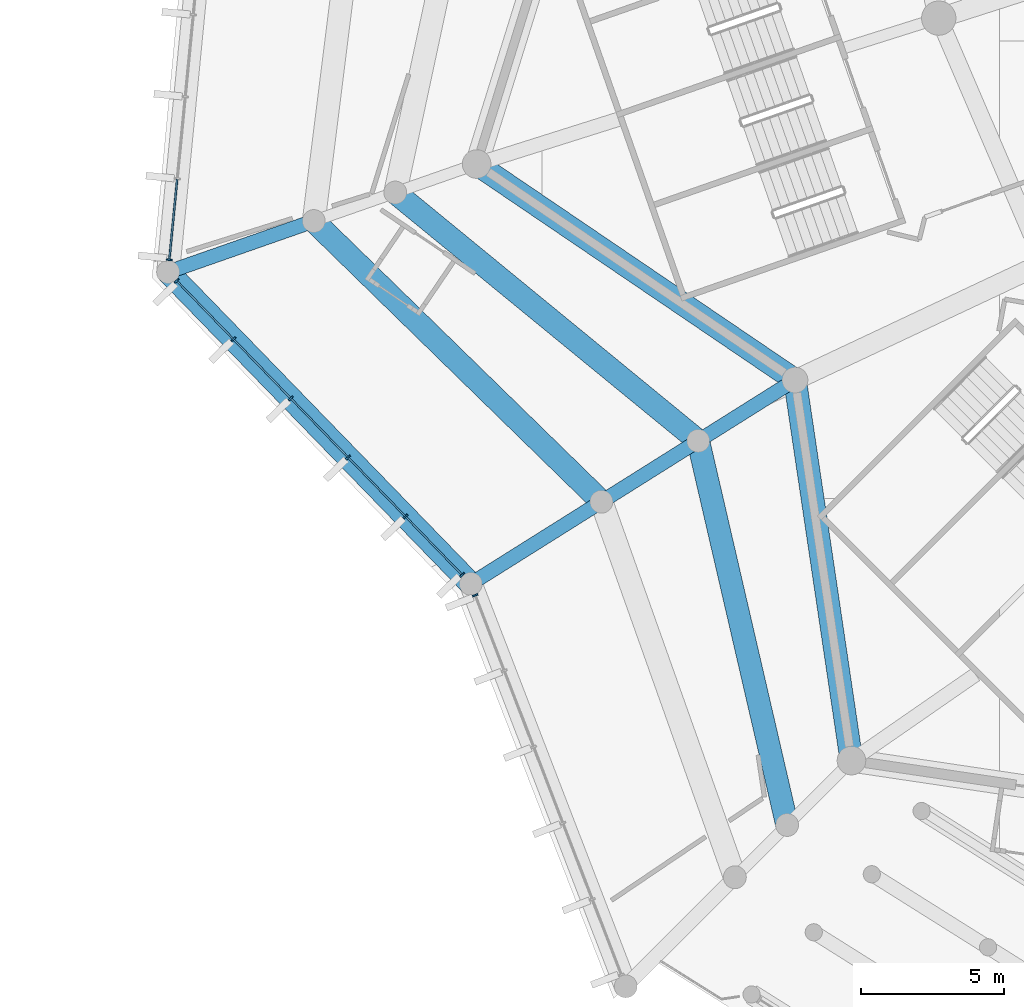
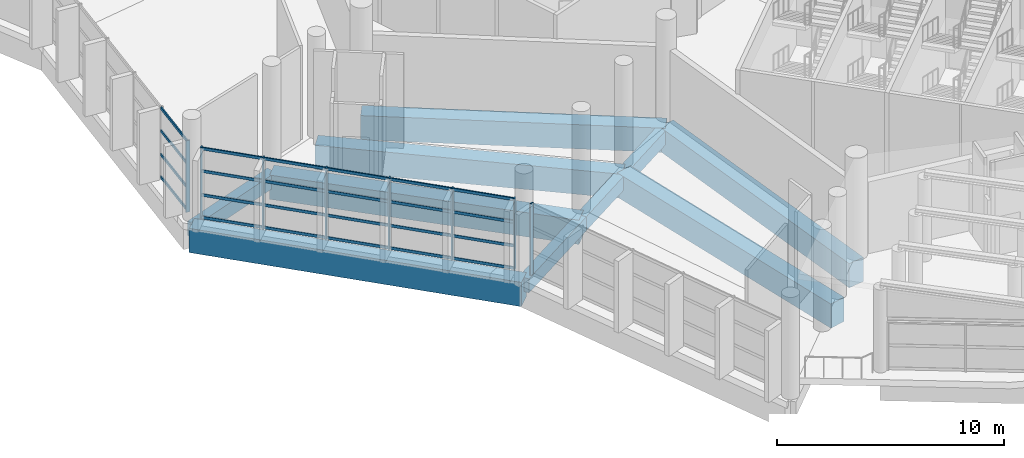
# One storey, part 12 of 271: 32 members, 10 beams, 3 elements without a shape of their own.
"""IFC4 building model written with IfcOpenShell, lengths in metres."""

from ifc_helpers import new_model, si_unit, direction, frame, origin, origin_2d, place, context, subcontext, project, spatial, rectangle, extrude, material, layer, layer_set, material_profile, profile_set, type_object, element, aggregate, save


model = new_model("IFC4")

# Units and contexts
model_context = context("Model", 3, precision=1e-05, world=origin(), true_north=direction((0.0, 1.0)))
body_context = subcontext(model_context, "Body", "Model", "MODEL_VIEW")
ifc_project = project(units=[si_unit("LENGTHUNIT", "METRE"), si_unit("AREAUNIT", "SQUARE_METRE"), si_unit("VOLUMEUNIT", "CUBIC_METRE"), si_unit("PLANEANGLEUNIT", "RADIAN"), si_unit("MASSUNIT", "GRAM", prefix="KILO")], contexts=[model_context])

# Site, building, storey
site_placement = place(None, origin())
site = spatial("IfcSite", under=ifc_project, at=site_placement, CompositionType="ELEMENT")
building_placement = place(site_placement, origin())
building = spatial("IfcBuilding", under=site, at=building_placement, Name="Meseta Stadium", CompositionType="ELEMENT")
storey_placement = place(building_placement, frame((0.0, 0.0, 6.5)))
storey = spatial("IfcBuildingStorey", under=building, at=storey_placement, Name="L01", CompositionType="ELEMENT", Elevation=6.5)

# Beams
ifc_material_1 = material(Name="Concrete C40/50", Category="concrete")
ifc_material_profile_1 = material_profile(ifc_material_1, rectangle(XDim=0.5, YDim=0.75, at=origin_2d()), Name="RC 500x750")
ifc_profile_set_1 = profile_set([ifc_material_profile_1], Name="Concrete C40/50")
beam_type_1 = type_object("IfcBeamType", Name="RC beam 500x750", PredefinedType="BEAM", material=ifc_profile_set_1)
beam_1_placement = place(storey_placement, frame((-103.989990234375, -70.29150390625, -0.72509765625), z_axis=(-0.943871747737, -0.330312161181, 0.0), x_axis=(0.330312161181, -0.943871747737, 0.0)))
element("IfcBeam", 1, at=beam_1_placement, inside=storey, type_object=beam_type_1, Name="L01 radial beam frame 38 line Q to O", PredefinedType="BEAM", context=body_context, shape_type="SweptSolid", body=[
    extrude(rectangle(XDim=0.5, YDim=0.75, at=origin_2d()), origin(), (0.0, 0.0, 1.0), 5.39990234375),
])
beam_2_placement = place(storey_placement, frame((-87.15087890625, -75.856689453125, -0.72509765625), z_axis=(-0.846706472046, -0.532060288122, 0.0), x_axis=(0.532060288122, -0.846706472046, 0.0)))
element("IfcBeam", 2, at=beam_2_placement, inside=storey, type_object=beam_type_1, Name="L01 radial beam frame 39 line R to M", PredefinedType="BEAM", context=body_context, shape_type="SweptSolid", body=[
    extrude(rectangle(XDim=0.5, YDim=0.75, at=origin_2d()), origin(), (0.0, 0.0, 1.0), 3.999755859375),
])
beam_3_placement = place(storey_placement, frame((-90.53759765625, -77.98486328125, -0.72509765625), z_axis=(-0.846723749582, -0.532032792122, 0.0), x_axis=(0.532032792122, -0.846723749582, 0.0)))
element("IfcBeam", 3, at=beam_3_placement, inside=storey, type_object=beam_type_1, Name="L01 radial beam frame 39 line M to Q", PredefinedType="BEAM", context=body_context, shape_type="SweptSolid", body=[
    extrude(rectangle(XDim=0.5, YDim=0.75, at=origin_2d()), origin(), (0.0, 0.0, 1.0), 4.0),
])
beam_4_placement = place(storey_placement, frame((-93.924560546875, -80.113037109375, -0.72509765625), z_axis=(-0.846715692546, -0.532045614582, 0.0), x_axis=(0.532045614582, -0.846715692546, 0.0)))
element("IfcBeam", 4, at=beam_4_placement, inside=storey, type_object=beam_type_1, Name="L01 radial beam frame 39 line Q to O", PredefinedType="BEAM", context=body_context, shape_type="SweptSolid", body=[
    extrude(rectangle(XDim=0.5, YDim=0.75, at=origin_2d()), origin(), (0.0, 0.0, 1.0), 5.39990234375),
])
ifc_material_2 = material(Name="Concrete C40/50", Category="concrete")
ifc_material_profile_2 = material_profile(ifc_material_2, rectangle(XDim=0.800048828125, YDim=1.300048828125, at=origin_2d()), Name="RC 800x1300")
ifc_profile_set_2 = profile_set([ifc_material_profile_2], Name="Concrete C40/50")
beam_type_2 = type_object("IfcBeamType", Name="RC beam 800x1300", PredefinedType="BEAM", material=ifc_profile_set_2)
beam_5_placement = place(storey_placement, frame((-98.291015625, -68.297607421875, -1.0), z_axis=(0.827486005705, -0.561486340317, 0.0), x_axis=(0.561486340317, 0.827486005705, 0.0)))
element("IfcBeam", 5, at=beam_5_placement, inside=storey, type_object=beam_type_2, Name="L01 ring beam frame 38 line R", PredefinedType="BEAM", context=body_context, shape_type="SweptSolid", body=[
    extrude(rectangle(XDim=0.800048828125, YDim=1.300048828125, at=origin_2d()), origin(), (0.0, 0.0, 1.0), 13.462646484375),
])
beam_6_placement = place(storey_placement, frame((-87.15087890625, -75.856689453125, -1.0), z_axis=(0.146870032835, -0.989155798373, 0.0), x_axis=(0.989155798373, 0.146870032835, 0.0)))
element("IfcBeam", 6, at=beam_6_placement, inside=storey, type_object=beam_type_2, Name="L01 ring beam frame 39 line R", PredefinedType="BEAM", context=body_context, shape_type="SweptSolid", body=[
    extrude(rectangle(XDim=0.800048828125, YDim=1.300048828125, at=origin_2d()), origin(), (0.0, 0.0, 1.0), 13.462890625),
])
beam_7_placement = place(storey_placement, frame((-101.140380859375, -69.29443359375, -1.0), z_axis=(0.77340555921, -0.633911540345, 0.0), x_axis=(0.633911540345, 0.77340555921, 0.0)))
element("IfcBeam", 7, at=beam_7_placement, inside=storey, type_object=beam_type_2, Name="L01 ring beam frame 38 line M", PredefinedType="BEAM", context=body_context, shape_type="SweptSolid", body=[
    extrude(rectangle(XDim=0.800048828125, YDim=1.300048828125, at=origin_2d()), origin(), (0.0, 0.0, 1.0), 13.709228515625),
])
beam_8_placement = place(storey_placement, frame((-103.989990234375, -70.29150390625, -1.0), z_axis=(0.715725013536, -0.698382205529, 0.0), x_axis=(0.698382205529, 0.715725013536, 0.0)))
element("IfcBeam", 8, at=beam_8_placement, inside=storey, type_object=beam_type_2, Name="L01 ring beam frame 38 line Q", PredefinedType="BEAM", context=body_context, shape_type="SweptSolid", body=[
    extrude(rectangle(XDim=0.800048828125, YDim=1.300048828125, at=origin_2d()), origin(), (0.0, 0.0, 1.0), 14.063232421875),
])
beam_9_placement = place(storey_placement, frame((-109.0869140625, -72.0751953125, -1.0), z_axis=(0.696479024719, -0.717577151341, 0.0), x_axis=(0.717577151341, 0.696479024719, 0.0)))
element("IfcBeam", 9, at=beam_9_placement, inside=storey, type_object=beam_type_2, Name="L01 ring beam frame 38 line O", PredefinedType="BEAM", context=body_context, shape_type="SweptSolid", body=[
    extrude(rectangle(XDim=0.800048828125, YDim=1.300048828125, at=origin_2d()), origin(), (0.0, 0.0, 1.0), 15.205078125),
])
beam_10_placement = place(storey_placement, frame((-90.53759765625, -77.98486328125, -1.0), z_axis=(0.225490125016, -0.974245453426, 0.0), x_axis=(0.974245453426, 0.225490125016, 0.0)))
element("IfcBeam", 10, at=beam_10_placement, inside=storey, type_object=beam_type_2, Name="L01 ring beam frame 39 line M", PredefinedType="BEAM", context=body_context, shape_type="SweptSolid", body=[
    extrude(rectangle(XDim=0.800048828125, YDim=1.300048828125, at=origin_2d()), origin(), (0.0, 0.0, 1.0), 13.796875),
])

# Curtain wall, member
ifc_material_3 = material(Name="Aluminium", Category="aluminium")
ifc_layer = layer(ifc_material_3, 0.199951171875)
ifc_layer_set = layer_set([ifc_layer], Name="Ring shopfront curtain wall")
curtain_wall_type = type_object("IfcCurtainWallType", Name="Ring shopfront curtain wall", PredefinedType="NOTDEFINED", material=ifc_layer_set)
curtain_wall_1_placement = place(storey_placement, origin())
curtain_wall_1 = element("IfcCurtainWall", 11, at=curtain_wall_1_placement, inside=storey, type_object=curtain_wall_type, Name="Ring glazing L01 F37", PredefinedType="NOTDEFINED")
ifc_material_4 = material(Name="Aluminium", Category="aluminium")
ifc_material_profile_3 = material_profile(ifc_material_4, rectangle(XDim=0.199951171875, YDim=0.06005859375, at=origin_2d()), Name="CW 200x60")
ifc_profile_set_3 = profile_set([ifc_material_profile_3], Name="Aluminium")
member_type_1 = type_object("IfcMemberType", Name="Ring CW mullion 60x200", PredefinedType="MULLION", material=ifc_profile_set_3)
member_1_placement = place(storey_placement, frame((-109.045166015625, -71.647216796875, 0.0), z_axis=(0.0, 0.0, 1.0), x_axis=(0.995272228282, -0.097124618973, 0.0)))
member_1 = element("IfcMember", 12, at=member_1_placement, type_object=member_type_1, Name="CWR1 mullion 6", PredefinedType="MULLION", context=body_context, shape_type="SweptSolid", body=[
    extrude(rectangle(XDim=0.199951171875, YDim=0.06005859375, at=origin_2d()), origin(), (0.0, 0.0, 1.0), 3.85009765625),
])

# Curtain wall, members
curtain_wall_2_placement = place(storey_placement, origin())
curtain_wall_2 = element("IfcCurtainWall", 13, at=curtain_wall_2_placement, inside=storey, type_object=curtain_wall_type, Name="Ring glazing L01 F38", PredefinedType="NOTDEFINED")
member_2_placement = place(storey_placement, frame((-108.787353515625, -72.383544921875, 0.0), z_axis=(0.0, 0.0, 1.0), x_axis=(0.717583242683, 0.6964727488, 0.0)))
member_2 = element("IfcMember", 14, at=member_2_placement, type_object=member_type_1, Name="CWR1 mullion 1", PredefinedType="MULLION", context=body_context, shape_type="SweptSolid", body=[
    extrude(rectangle(XDim=0.199951171875, YDim=0.06005859375, at=origin_2d()), origin(), (0.0, 0.0, 1.0), 3.85009765625),
])
member_3_placement = place(storey_placement, frame((-106.8017578125, -74.429443359375, 0.0), z_axis=(0.0, 0.0, 1.0), x_axis=(0.717583242683, 0.6964727488, 0.0)))
member_3 = element("IfcMember", 15, at=member_3_placement, type_object=member_type_1, Name="CWR1 mullion 2", PredefinedType="MULLION", context=body_context, shape_type="SweptSolid", body=[
    extrude(rectangle(XDim=0.199951171875, YDim=0.06005859375, at=origin_2d()), origin(), (0.0, 0.0, 1.0), 3.85009765625),
])
member_4_placement = place(storey_placement, frame((-104.795166015625, -76.496826171875, 0.0), z_axis=(0.0, 0.0, 1.0), x_axis=(0.717583242683, 0.6964727488, 0.0)))
member_4 = element("IfcMember", 16, at=member_4_placement, type_object=member_type_1, Name="CWR1 mullion 3", PredefinedType="MULLION", context=body_context, shape_type="SweptSolid", body=[
    extrude(rectangle(XDim=0.199951171875, YDim=0.06005859375, at=origin_2d()), origin(), (0.0, 0.0, 1.0), 3.85009765625),
])
member_5_placement = place(storey_placement, frame((-102.78857421875, -78.564208984375, 0.0), z_axis=(0.0, 0.0, 1.0), x_axis=(0.717583242683, 0.6964727488, 0.0)))
member_5 = element("IfcMember", 17, at=member_5_placement, type_object=member_type_1, Name="CWR1 mullion 4", PredefinedType="MULLION", context=body_context, shape_type="SweptSolid", body=[
    extrude(rectangle(XDim=0.199951171875, YDim=0.06005859375, at=origin_2d()), origin(), (0.0, 0.0, 1.0), 3.85009765625),
])
member_6_placement = place(storey_placement, frame((-100.781982421875, -80.631591796875, 0.0), z_axis=(0.0, 0.0, 1.0), x_axis=(0.717583242683, 0.6964727488, 0.0)))
member_6 = element("IfcMember", 18, at=member_6_placement, type_object=member_type_1, Name="CWR1 mullion 5", PredefinedType="MULLION", context=body_context, shape_type="SweptSolid", body=[
    extrude(rectangle(XDim=0.199951171875, YDim=0.06005859375, at=origin_2d()), origin(), (0.0, 0.0, 1.0), 3.85009765625),
])
member_7_placement = place(storey_placement, frame((-98.79638671875, -82.677490234375, 0.0), z_axis=(0.0, 0.0, 1.0), x_axis=(0.717583242683, 0.6964727488, 0.0)))
member_7 = element("IfcMember", 19, at=member_7_placement, type_object=member_type_1, Name="CWR1 mullion 6", PredefinedType="MULLION", context=body_context, shape_type="SweptSolid", body=[
    extrude(rectangle(XDim=0.199951171875, YDim=0.06005859375, at=origin_2d()), origin(), (0.0, 0.0, 1.0), 3.85009765625),
])

# Curtain wall, member
curtain_wall_3_placement = place(storey_placement, origin())
curtain_wall_3 = element("IfcCurtainWall", 20, at=curtain_wall_3_placement, inside=storey, type_object=curtain_wall_type, Name="Ring glazing L01 F39", PredefinedType="NOTDEFINED")
member_8_placement = place(storey_placement, frame((-98.342529296875, -83.38720703125, 0.0), z_axis=(0.0, 0.0, 1.0), x_axis=(0.933221328815, 0.359302033734, 0.0)))
member_8 = element("IfcMember", 21, at=member_8_placement, type_object=member_type_1, Name="CWR1 mullion 1", PredefinedType="MULLION", context=body_context, shape_type="SweptSolid", body=[
    extrude(rectangle(XDim=0.199951171875, YDim=0.06005859375, at=origin_2d()), origin(), (0.0, 0.0, 1.0), 3.85009765625),
])
aggregate(curtain_wall_3, [member_8])

# Member
ifc_material_5 = material(Name="Aluminium", Category="aluminium")
ifc_material_profile_4 = material_profile(ifc_material_5, rectangle(XDim=0.06005859375, YDim=0.14990234375, at=origin_2d()), Name="CW 60x150")
ifc_profile_set_4 = profile_set([ifc_material_profile_4], Name="Aluminium")
member_type_2 = type_object("IfcMemberType", Name="Ring CW transom 60x150", PredefinedType="USERDEFINED", material=ifc_profile_set_4)
member_9_placement = place(storey_placement, frame((-108.771240234375, -68.83935546875, 0.074951171875), z_axis=(-0.097095737509, -0.995275046285, 0.0), x_axis=(0.995275046285, -0.097095737509, 0.0)))
member_9 = element("IfcMember", 22, at=member_9_placement, type_object=member_type_2, Name="CWR1 transom 5.1", ObjectType="TRANSOM", PredefinedType="USERDEFINED", context=body_context, shape_type="SweptSolid", body=[
    extrude(rectangle(XDim=0.06005859375, YDim=0.14990234375, at=origin_2d()), origin(), (0.0, 0.0, 1.0), 2.791015625),
])

member_10_placement = place(storey_placement, frame((-108.771240234375, -68.83935546875, 1.283447265625), z_axis=(-0.097095737509, -0.995275046285, 0.0), x_axis=(0.995275046285, -0.097095737509, 0.0)))
member_10 = element("IfcMember", 23, at=member_10_placement, type_object=member_type_2, Name="CWR1 transom 5.2", ObjectType="TRANSOM", PredefinedType="USERDEFINED", context=body_context, shape_type="SweptSolid", body=[
    extrude(rectangle(XDim=0.06005859375, YDim=0.14990234375, at=origin_2d()), origin(), (0.0, 0.0, 1.0), 2.791015625),
])

member_11_placement = place(storey_placement, frame((-108.771240234375, -68.83935546875, 2.566650390625), z_axis=(-0.097095737509, -0.995275046285, 0.0), x_axis=(0.995275046285, -0.097095737509, 0.0)))
member_11 = element("IfcMember", 24, at=member_11_placement, type_object=member_type_2, Name="CWR1 transom 5.3", ObjectType="TRANSOM", PredefinedType="USERDEFINED", context=body_context, shape_type="SweptSolid", body=[
    extrude(rectangle(XDim=0.06005859375, YDim=0.14990234375, at=origin_2d()), origin(), (0.0, 0.0, 1.0), 2.791015625),
])

member_12_placement = place(storey_placement, frame((-108.771240234375, -68.83935546875, 3.77490234375), z_axis=(-0.097095737509, -0.995275046285, 0.0), x_axis=(0.995275046285, -0.097095737509, 0.0)))
member_12 = element("IfcMember", 25, at=member_12_placement, type_object=member_type_2, Name="CWR1 transom 5.4", ObjectType="TRANSOM", PredefinedType="USERDEFINED", context=body_context, shape_type="SweptSolid", body=[
    extrude(rectangle(XDim=0.06005859375, YDim=0.14990234375, at=origin_2d()), origin(), (0.0, 0.0, 1.0), 2.791015625),
])

aggregate(curtain_wall_1, [member_1, member_9, member_10, member_11, member_12])

member_13_placement = place(storey_placement, frame((-108.7666015625, -72.4052734375, 0.074951171875), z_axis=(0.696487300363, -0.717569118924, 0.0), x_axis=(0.717569118924, 0.696487300363, 0.0)))
member_13 = element("IfcMember", 26, at=member_13_placement, type_object=member_type_2, Name="CWR1 transom 1.1", ObjectType="TRANSOM", PredefinedType="USERDEFINED", context=body_context, shape_type="SweptSolid", body=[
    extrude(rectangle(XDim=0.06005859375, YDim=0.14990234375, at=origin_2d()), origin(), (0.0, 0.0, 1.0), 2.791015625),
])

member_14_placement = place(storey_placement, frame((-108.7666015625, -72.4052734375, 1.283447265625), z_axis=(0.696487300363, -0.717569118924, 0.0), x_axis=(0.717569118924, 0.696487300363, 0.0)))
member_14 = element("IfcMember", 27, at=member_14_placement, type_object=member_type_2, Name="CWR1 transom 1.2", ObjectType="TRANSOM", PredefinedType="USERDEFINED", context=body_context, shape_type="SweptSolid", body=[
    extrude(rectangle(XDim=0.06005859375, YDim=0.14990234375, at=origin_2d()), origin(), (0.0, 0.0, 1.0), 2.791015625),
])

member_15_placement = place(storey_placement, frame((-108.7666015625, -72.4052734375, 2.566650390625), z_axis=(0.696487300363, -0.717569118924, 0.0), x_axis=(0.717569118924, 0.696487300363, 0.0)))
member_15 = element("IfcMember", 28, at=member_15_placement, type_object=member_type_2, Name="CWR1 transom 1.3", ObjectType="TRANSOM", PredefinedType="USERDEFINED", context=body_context, shape_type="SweptSolid", body=[
    extrude(rectangle(XDim=0.06005859375, YDim=0.14990234375, at=origin_2d()), origin(), (0.0, 0.0, 1.0), 2.791015625),
])

member_16_placement = place(storey_placement, frame((-108.7666015625, -72.4052734375, 3.77490234375), z_axis=(0.696487300363, -0.717569118924, 0.0), x_axis=(0.717569118924, 0.696487300363, 0.0)))
member_16 = element("IfcMember", 29, at=member_16_placement, type_object=member_type_2, Name="CWR1 transom 1.4", ObjectType="TRANSOM", PredefinedType="USERDEFINED", context=body_context, shape_type="SweptSolid", body=[
    extrude(rectangle(XDim=0.06005859375, YDim=0.14990234375, at=origin_2d()), origin(), (0.0, 0.0, 1.0), 2.791015625),
])

member_17_placement = place(storey_placement, frame((-106.78076171875, -74.450927734375, 0.074951171875), z_axis=(0.696425568893, -0.717629031597, 0.0), x_axis=(0.717629031597, 0.696425568893, 0.0)))
member_17 = element("IfcMember", 30, at=member_17_placement, type_object=member_type_2, Name="CWR1 transom 2.1", ObjectType="TRANSOM", PredefinedType="USERDEFINED", context=body_context, shape_type="SweptSolid", body=[
    extrude(rectangle(XDim=0.06005859375, YDim=0.14990234375, at=origin_2d()), origin(), (0.0, 0.0, 1.0), 2.821044921875),
])

member_18_placement = place(storey_placement, frame((-106.78076171875, -74.450927734375, 1.283447265625), z_axis=(0.696425568893, -0.717629031597, 0.0), x_axis=(0.717629031597, 0.696425568893, 0.0)))
member_18 = element("IfcMember", 31, at=member_18_placement, type_object=member_type_2, Name="CWR1 transom 2.2", ObjectType="TRANSOM", PredefinedType="USERDEFINED", context=body_context, shape_type="SweptSolid", body=[
    extrude(rectangle(XDim=0.06005859375, YDim=0.14990234375, at=origin_2d()), origin(), (0.0, 0.0, 1.0), 2.821044921875),
])

member_19_placement = place(storey_placement, frame((-106.78076171875, -74.450927734375, 2.566650390625), z_axis=(0.696425568893, -0.717629031597, 0.0), x_axis=(0.717629031597, 0.696425568893, 0.0)))
member_19 = element("IfcMember", 32, at=member_19_placement, type_object=member_type_2, Name="CWR1 transom 2.3", ObjectType="TRANSOM", PredefinedType="USERDEFINED", context=body_context, shape_type="SweptSolid", body=[
    extrude(rectangle(XDim=0.06005859375, YDim=0.14990234375, at=origin_2d()), origin(), (0.0, 0.0, 1.0), 2.821044921875),
])

member_20_placement = place(storey_placement, frame((-106.78076171875, -74.450927734375, 3.77490234375), z_axis=(0.696425568893, -0.717629031597, 0.0), x_axis=(0.717629031597, 0.696425568893, 0.0)))
member_20 = element("IfcMember", 33, at=member_20_placement, type_object=member_type_2, Name="CWR1 transom 2.4", ObjectType="TRANSOM", PredefinedType="USERDEFINED", context=body_context, shape_type="SweptSolid", body=[
    extrude(rectangle(XDim=0.06005859375, YDim=0.14990234375, at=origin_2d()), origin(), (0.0, 0.0, 1.0), 2.821044921875),
])

member_21_placement = place(storey_placement, frame((-104.774169921875, -76.518310546875, 0.074951171875), z_axis=(0.696425568893, -0.717629031597, 0.0), x_axis=(0.717629031597, 0.696425568893, 0.0)))
member_21 = element("IfcMember", 34, at=member_21_placement, type_object=member_type_2, Name="CWR1 transom 3.1", ObjectType="TRANSOM", PredefinedType="USERDEFINED", context=body_context, shape_type="SweptSolid", body=[
    extrude(rectangle(XDim=0.06005859375, YDim=0.14990234375, at=origin_2d()), origin(), (0.0, 0.0, 1.0), 2.821044921875),
])

member_22_placement = place(storey_placement, frame((-104.774169921875, -76.518310546875, 1.283447265625), z_axis=(0.696425568893, -0.717629031597, 0.0), x_axis=(0.717629031597, 0.696425568893, 0.0)))
member_22 = element("IfcMember", 35, at=member_22_placement, type_object=member_type_2, Name="CWR1 transom 3.2", ObjectType="TRANSOM", PredefinedType="USERDEFINED", context=body_context, shape_type="SweptSolid", body=[
    extrude(rectangle(XDim=0.06005859375, YDim=0.14990234375, at=origin_2d()), origin(), (0.0, 0.0, 1.0), 2.821044921875),
])

member_23_placement = place(storey_placement, frame((-104.774169921875, -76.518310546875, 2.566650390625), z_axis=(0.696425568893, -0.717629031597, 0.0), x_axis=(0.717629031597, 0.696425568893, 0.0)))
member_23 = element("IfcMember", 36, at=member_23_placement, type_object=member_type_2, Name="CWR1 transom 3.3", ObjectType="TRANSOM", PredefinedType="USERDEFINED", context=body_context, shape_type="SweptSolid", body=[
    extrude(rectangle(XDim=0.06005859375, YDim=0.14990234375, at=origin_2d()), origin(), (0.0, 0.0, 1.0), 2.821044921875),
])

member_24_placement = place(storey_placement, frame((-104.774169921875, -76.518310546875, 3.77490234375), z_axis=(0.696425568893, -0.717629031597, 0.0), x_axis=(0.717629031597, 0.696425568893, 0.0)))
member_24 = element("IfcMember", 37, at=member_24_placement, type_object=member_type_2, Name="CWR1 transom 3.4", ObjectType="TRANSOM", PredefinedType="USERDEFINED", context=body_context, shape_type="SweptSolid", body=[
    extrude(rectangle(XDim=0.06005859375, YDim=0.14990234375, at=origin_2d()), origin(), (0.0, 0.0, 1.0), 2.821044921875),
])

member_25_placement = place(storey_placement, frame((-102.767822265625, -78.585693359375, 0.074951171875), z_axis=(0.696470134666, -0.717585779902, 0.0), x_axis=(0.717585779902, 0.696470134666, 0.0)))
member_25 = element("IfcMember", 38, at=member_25_placement, type_object=member_type_2, Name="CWR1 transom 4.1", ObjectType="TRANSOM", PredefinedType="USERDEFINED", context=body_context, shape_type="SweptSolid", body=[
    extrude(rectangle(XDim=0.06005859375, YDim=0.14990234375, at=origin_2d()), origin(), (0.0, 0.0, 1.0), 2.821044921875),
])

member_26_placement = place(storey_placement, frame((-102.767822265625, -78.585693359375, 1.283447265625), z_axis=(0.696470134666, -0.717585779902, 0.0), x_axis=(0.717585779902, 0.696470134666, 0.0)))
member_26 = element("IfcMember", 39, at=member_26_placement, type_object=member_type_2, Name="CWR1 transom 4.2", ObjectType="TRANSOM", PredefinedType="USERDEFINED", context=body_context, shape_type="SweptSolid", body=[
    extrude(rectangle(XDim=0.06005859375, YDim=0.14990234375, at=origin_2d()), origin(), (0.0, 0.0, 1.0), 2.821044921875),
])

member_27_placement = place(storey_placement, frame((-102.767822265625, -78.585693359375, 2.566650390625), z_axis=(0.696470134666, -0.717585779902, 0.0), x_axis=(0.717585779902, 0.696470134666, 0.0)))
member_27 = element("IfcMember", 40, at=member_27_placement, type_object=member_type_2, Name="CWR1 transom 4.3", ObjectType="TRANSOM", PredefinedType="USERDEFINED", context=body_context, shape_type="SweptSolid", body=[
    extrude(rectangle(XDim=0.06005859375, YDim=0.14990234375, at=origin_2d()), origin(), (0.0, 0.0, 1.0), 2.821044921875),
])

member_28_placement = place(storey_placement, frame((-102.767822265625, -78.585693359375, 3.77490234375), z_axis=(0.696470134666, -0.717585779902, 0.0), x_axis=(0.717585779902, 0.696470134666, 0.0)))
member_28 = element("IfcMember", 41, at=member_28_placement, type_object=member_type_2, Name="CWR1 transom 4.4", ObjectType="TRANSOM", PredefinedType="USERDEFINED", context=body_context, shape_type="SweptSolid", body=[
    extrude(rectangle(XDim=0.06005859375, YDim=0.14990234375, at=origin_2d()), origin(), (0.0, 0.0, 1.0), 2.821044921875),
])

member_29_placement = place(storey_placement, frame((-100.76123046875, -80.653076171875, 0.074951171875), z_axis=(0.696443583041, -0.717611549267, 0.0), x_axis=(0.717611549267, 0.696443583041, 0.0)))
member_29 = element("IfcMember", 42, at=member_29_placement, type_object=member_type_2, Name="CWR1 transom 5.1", ObjectType="TRANSOM", PredefinedType="USERDEFINED", context=body_context, shape_type="SweptSolid", body=[
    extrude(rectangle(XDim=0.06005859375, YDim=0.14990234375, at=origin_2d()), origin(), (0.0, 0.0, 1.0), 2.791015625),
])

member_30_placement = place(storey_placement, frame((-100.76123046875, -80.653076171875, 1.283447265625), z_axis=(0.696443583041, -0.717611549267, 0.0), x_axis=(0.717611549267, 0.696443583041, 0.0)))
member_30 = element("IfcMember", 43, at=member_30_placement, type_object=member_type_2, Name="CWR1 transom 5.2", ObjectType="TRANSOM", PredefinedType="USERDEFINED", context=body_context, shape_type="SweptSolid", body=[
    extrude(rectangle(XDim=0.06005859375, YDim=0.14990234375, at=origin_2d()), origin(), (0.0, 0.0, 1.0), 2.791015625),
])

member_31_placement = place(storey_placement, frame((-100.76123046875, -80.653076171875, 2.566650390625), z_axis=(0.696443583041, -0.717611549267, 0.0), x_axis=(0.717611549267, 0.696443583041, 0.0)))
member_31 = element("IfcMember", 44, at=member_31_placement, type_object=member_type_2, Name="CWR1 transom 5.3", ObjectType="TRANSOM", PredefinedType="USERDEFINED", context=body_context, shape_type="SweptSolid", body=[
    extrude(rectangle(XDim=0.06005859375, YDim=0.14990234375, at=origin_2d()), origin(), (0.0, 0.0, 1.0), 2.791015625),
])

member_32_placement = place(storey_placement, frame((-100.76123046875, -80.653076171875, 3.77490234375), z_axis=(0.696443583041, -0.717611549267, 0.0), x_axis=(0.717611549267, 0.696443583041, 0.0)))
member_32 = element("IfcMember", 45, at=member_32_placement, type_object=member_type_2, Name="CWR1 transom 5.4", ObjectType="TRANSOM", PredefinedType="USERDEFINED", context=body_context, shape_type="SweptSolid", body=[
    extrude(rectangle(XDim=0.06005859375, YDim=0.14990234375, at=origin_2d()), origin(), (0.0, 0.0, 1.0), 2.791015625),
])

aggregate(curtain_wall_2, [member_2, member_3, member_4, member_5, member_6, member_7, member_13, member_14, member_15, member_16, member_17, member_18, member_19, member_20, member_21, member_22, member_23, member_24, member_25, member_26, member_27, member_28, member_29, member_30, member_31, member_32])

save(model, "model.ifc")
